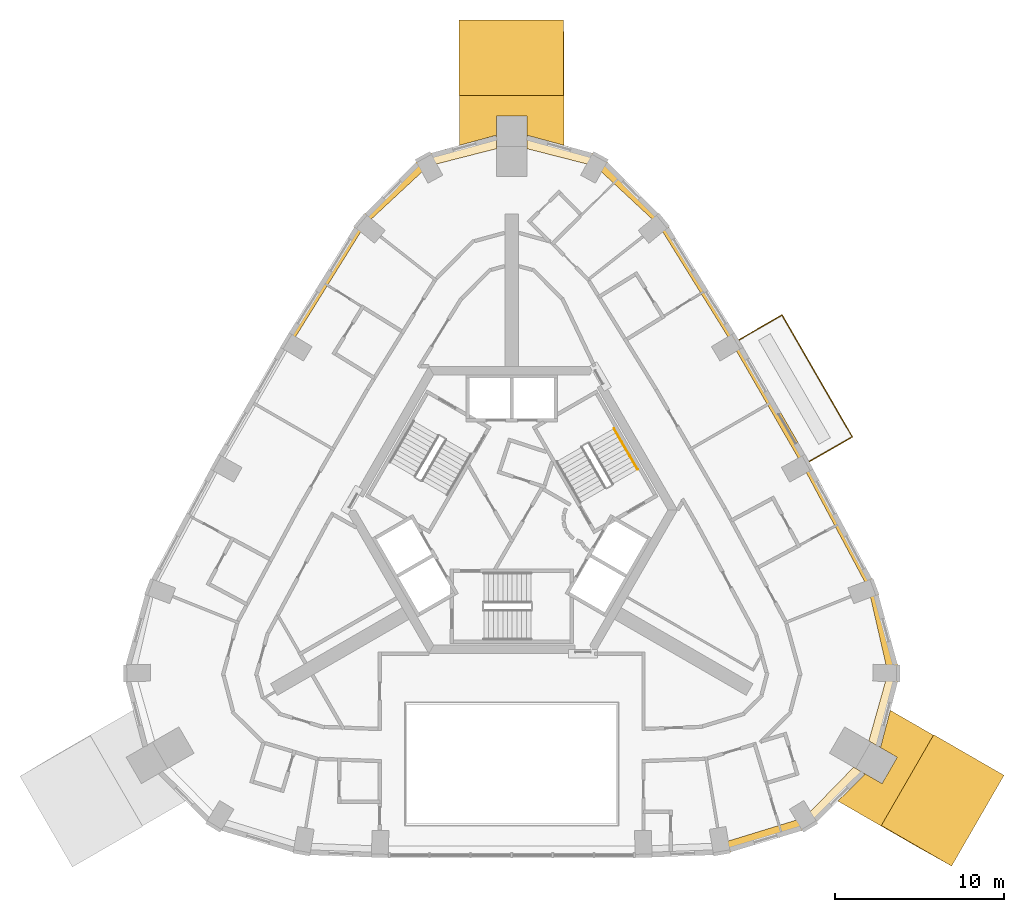
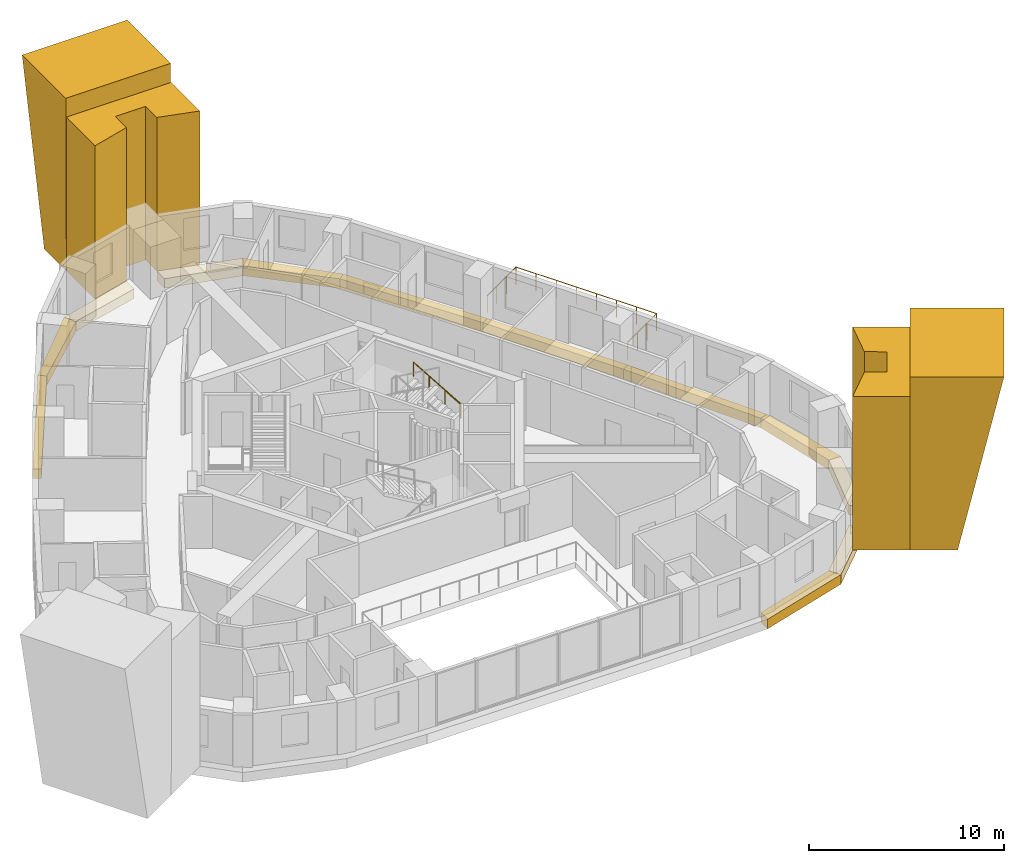
# One storey, part 11 of 11: 16 coverings, 2 railings.
"""IFC4 building model written with IfcOpenShell, lengths in metres."""

from ifc_helpers import new_model, si_unit, direction, frame, origin, origin_2d, place, context, subcontext, project, spatial, polyline, circle, outline, extrude, material, type_object, element, save


model = new_model("IFC4")

# Units and contexts
model_context = context("Model", 3, precision=1e-05, world=origin(), true_north=direction((0.0, 1.0)))
body_context = subcontext(model_context, "Body", "Model", "MODEL_VIEW")
ifc_project = project(units=[si_unit("LENGTHUNIT", "METRE"), si_unit("AREAUNIT", "SQUARE_METRE"), si_unit("VOLUMEUNIT", "CUBIC_METRE"), si_unit("PLANEANGLEUNIT", "RADIAN"), si_unit("MASSUNIT", "GRAM", prefix="KILO")], contexts=[model_context])

# Site, building, storey
site_placement = place(None, origin())
site = spatial("IfcSite", under=ifc_project, at=site_placement, CompositionType="ELEMENT")
building_placement = place(site_placement, origin())
building = spatial("IfcBuilding", under=site, at=building_placement, Name="Entoto Arch Interchange Tower", CompositionType="ELEMENT")
storey_placement = place(building_placement, frame((0.0, 0.0, 297.199951171875)))
storey = spatial("IfcBuildingStorey", under=building, at=storey_placement, Name="L69", CompositionType="ELEMENT", Elevation=297.199951171875)

# Railing
ifc_material_1 = material(Name="Stainless steel 1.4301", Category="steel")
railing_type_1 = type_object("IfcRailingType", Name="GUARD 1100 STEEL AND GLASS", PredefinedType="GUARDRAIL", material=ifc_material_1)
railing_1_placement = place(storey_placement, frame((17.595947265625, 5.35791015625, 0.0)))
element("IfcRailing", 1, at=railing_1_placement, inside=storey, type_object=railing_type_1, Name="Balcony guard NE-02 L69", PredefinedType="GUARDRAIL", context=body_context, shape_type="SweptSolid", body=[
    extrude(circle(Radius=0.02392578125, at=origin_2d()), frame((0.0, 0.0, 1.076171875), z_axis=(0.866024349092, 0.500001826776, 0.0), x_axis=(-0.500001826776, 0.866024349092, 0.0)), (0.0, 0.0, 1.0), 2.9501953125),
    extrude(circle(Radius=0.02392578125, at=origin_2d()), frame((2.554931640625, 1.47509765625, 1.076171875), z_axis=(-0.499994372282, 0.866028652924, 0.0), x_axis=(-0.866028652924, -0.499994372282, 0.0)), (0.0, 0.0, 1.0), 8.31591796875),
    extrude(circle(Radius=0.02392578125, at=origin_2d()), frame((-1.60302734375, 8.677001953125, 1.076171875), z_axis=(-0.866060182126, -0.499939757307, 0.0), x_axis=(0.499939757307, -0.866060182126, 0.0)), (0.0, 0.0, 1.0), 2.949951171875),
    extrude(circle(Radius=0.02099609375, at=origin_2d()), origin(), (0.0, 0.0, 1.0), 1.052001953125),
    extrude(circle(Radius=0.02099609375, at=origin_2d()), frame((0.8515625, 0.49169921875, 0.0)), (0.0, 0.0, 1.0), 1.052001953125),
    extrude(circle(Radius=0.02099609375, at=origin_2d()), frame((1.703369140625, 0.9833984375, 0.0)), (0.0, 0.0, 1.0), 1.052001953125),
    extrude(circle(Radius=0.02099609375, at=origin_2d()), frame((2.554931640625, 1.47509765625, 0.0)), (0.0, 0.0, 1.0), 1.052001953125),
    extrude(circle(Radius=0.02099609375, at=origin_2d()), frame((1.9609375, 2.50390625, 0.0)), (0.0, 0.0, 1.0), 1.052001953125),
    extrude(circle(Radius=0.02099609375, at=origin_2d()), frame((1.366943359375, 3.53271484375, 0.0)), (0.0, 0.0, 1.0), 1.052001953125),
    extrude(circle(Radius=0.02099609375, at=origin_2d()), frame((0.77294921875, 4.5615234375, 0.0)), (0.0, 0.0, 1.0), 1.052001953125),
    extrude(circle(Radius=0.02099609375, at=origin_2d()), frame((0.178955078125, 5.590576171875, 0.0)), (0.0, 0.0, 1.0), 1.052001953125),
    extrude(circle(Radius=0.02099609375, at=origin_2d()), frame((-0.4150390625, 6.619384765625, 0.0)), (0.0, 0.0, 1.0), 1.052001953125),
    extrude(circle(Radius=0.02099609375, at=origin_2d()), frame((-1.009033203125, 7.648193359375, 0.0)), (0.0, 0.0, 1.0), 1.052001953125),
    extrude(circle(Radius=0.02099609375, at=origin_2d()), frame((-1.60302734375, 8.677001953125, 0.0)), (0.0, 0.0, 1.0), 1.052001953125),
    extrude(circle(Radius=0.02099609375, at=origin_2d()), frame((-2.45458984375, 8.185302734375, 0.0)), (0.0, 0.0, 1.0), 1.052001953125),
    extrude(circle(Radius=0.02099609375, at=origin_2d()), frame((-3.306396484375, 7.69384765625, 0.0)), (0.0, 0.0, 1.0), 1.052001953125),
    extrude(circle(Radius=0.02099609375, at=origin_2d()), frame((-4.157958984375, 7.2021484375, 0.0)), (0.0, 0.0, 1.0), 1.052001953125),
])

# Coverings
ifc_material_2 = material(Name="Board-marked precast concrete C50/60", Category="concrete")
covering_type_1 = type_object("IfcCoveringType", Name="PRECAST FRAME COURSE", PredefinedType="CLADDING", material=ifc_material_2)
covering_1_placement = place(storey_placement, frame((0.0, 0.0, -0.33984375)))
element("IfcCovering", 2, at=covering_1_placement, inside=storey, type_object=covering_type_1, Name="Corner pilaster SE L69-L71", PredefinedType="CLADDING", context=body_context, shape_type="SweptSolid", body=[
    extrude(outline(polyline([(24.952880859375, -10.825927734375), (21.85302734375, -16.196044921875), (19.299072265625, -14.721923828125), (20.9208984375, -13.116943359375), (21.9130859375, -13.68994140625), (22.81298828125, -12.132080078125), (21.821044921875, -11.55810546875), (22.39892578125, -9.35205078125), (24.952880859375, -10.825927734375)])), origin(), (0.0, 0.0, 1.0), 9.599853515625),
])
covering_2_placement = place(storey_placement, frame((0.0, 0.0, -0.33984375)))
element("IfcCovering", 3, at=covering_2_placement, inside=storey, type_object=covering_type_1, Name="Corner pilaster N L69-L71", PredefinedType="CLADDING", context=body_context, shape_type="SweptSolid", body=[
    extrude(outline(polyline([(-3.10009765625, 27.02294921875), (3.10009765625, 27.02294921875), (3.10009765625, 24.073974609375), (0.89990234375, 24.677001953125), (0.89990234375, 25.822998046875), (-0.89990234375, 25.822998046875), (-0.89990234375, 24.677001953125), (-3.10009765625, 24.073974609375), (-3.10009765625, 27.02294921875)])), origin(), (0.0, 0.0, 1.0), 9.599853515625),
])
covering_3_placement = place(storey_placement, frame((21.85302734375, -16.196044921875, -0.33984375), z_axis=(-0.499989051205, -0.866026542408, 0.002996084014), x_axis=(0.866030429187, -0.499991295646, -1.33204e-07)))
element("IfcCovering", 4, at=covering_3_placement, inside=storey, type_object=covering_type_1, Name="Corner rib SE L69-L71", PredefinedType="CLADDING", context=body_context, shape_type="SweptSolid", body=[
    extrude(outline(polyline([(0.0, 0.0), (2.42954270651124, 0.0), (4.802220671586409, 10.799853799830363), (-0.00029612145852484666, 10.799852836490087), (0.0, 0.0)])), origin(), (0.0, 0.0, -1.0), 6.199951171875),
])
covering_4_placement = place(storey_placement, frame((3.10009765625, 27.02294921875, -0.33984375), z_axis=(0.999995615117, 0.0, 0.002961375929), x_axis=(0.0, 1.0, 0.0)))
element("IfcCovering", 5, at=covering_4_placement, inside=storey, type_object=covering_type_1, Name="Corner rib N L69-L71", PredefinedType="CLADDING", context=body_context, shape_type="SweptSolid", body=[
    extrude(outline(polyline([(0.0, 0.0), (2.261962890625, 0.0), (4.470947265625, 10.799852043590967), (0.0, 10.799852043590967), (0.0, 0.0)])), origin(), (0.0, 0.0, -1.0), 6.199951171875),
])
covering_type_2 = type_object("IfcCoveringType", Name="PRECAST LEDGE COURSE", PredefinedType="CLADDING", material=ifc_material_2)
covering_5_placement = place(storey_placement, frame((0.0, 0.0, -0.93994140625)))
element("IfcCovering", 6, at=covering_5_placement, inside=storey, type_object=covering_type_2, Name="Precast course SE-01 L69", PredefinedType="CLADDING", context=body_context, shape_type="SweptSolid", body=[
    extrude(outline(polyline([(17.319091796875, -15.700927734375), (17.69189453125, -16.31201171875), (12.447998046875, -17.889892578125), (12.447998046875, -17.197998046875), (17.319091796875, -15.700927734375)])), origin(), (0.0, 0.0, 1.0), 0.60009765625),
])
covering_6_placement = place(storey_placement, frame((0.0, 0.0, -0.93994140625)))
element("IfcCovering", 7, at=covering_6_placement, inside=storey, type_object=covering_type_2, Name="Precast course SE-02 L69", PredefinedType="CLADDING", context=body_context, shape_type="SweptSolid", body=[
    extrude(outline(polyline([(20.22900390625, -12.718994140625), (20.919921875, -13.117919921875), (17.69189453125, -16.31201171875), (17.319091796875, -15.700927734375), (20.22900390625, -12.718994140625)])), origin(), (0.0, 0.0, 1.0), 0.60009765625),
])
covering_7_placement = place(storey_placement, frame((0.0, 0.0, -0.93994140625)))
element("IfcCovering", 8, at=covering_7_placement, inside=storey, type_object=covering_type_2, Name="Precast course SE-03 L69", PredefinedType="CLADDING", context=body_context, shape_type="SweptSolid", body=[
    extrude(outline(polyline([(22.257080078125, -7.14794921875), (22.971923828125, -7.1650390625), (21.820068359375, -11.55908203125), (21.12890625, -11.159912109375), (22.257080078125, -7.14794921875)])), origin(), (0.0, 0.0, 1.0), 0.60009765625),
])
covering_8_placement = place(storey_placement, frame((0.0, 0.0, -0.93994140625)))
element("IfcCovering", 9, at=covering_8_placement, inside=storey, type_object=covering_type_2, Name="Precast course SE-04 L69", PredefinedType="CLADDING", context=body_context, shape_type="SweptSolid", body=[
    extrude(outline(polyline([(21.117919921875, -2.180908203125), (21.556884765625, -2.01708984375), (22.971923828125, -7.1650390625), (22.257080078125, -7.14794921875), (21.117919921875, -2.180908203125)])), origin(), (0.0, 0.0, 1.0), 0.60009765625),
])
covering_9_placement = place(storey_placement, frame((0.0, 0.0, -0.93994140625)))
element("IfcCovering", 10, at=covering_9_placement, inside=storey, type_object=covering_type_2, Name="Precast course NE-01 L69", PredefinedType="CLADDING", context=body_context, shape_type="SweptSolid", body=[
    extrude(outline(polyline([(17.201904296875, 5.138916015625), (17.595947265625, 5.35791015625), (21.556884765625, -2.01708984375), (21.117919921875, -2.180908203125), (17.201904296875, 5.138916015625)])), origin(), (0.0, 0.0, 1.0), 0.60009765625),
])
covering_10_placement = place(storey_placement, frame((0.0, 0.0, -0.93994140625)))
element("IfcCovering", 11, at=covering_10_placement, inside=storey, type_object=covering_type_2, Name="Precast course NE-02 L69", PredefinedType="CLADDING", context=body_context, shape_type="SweptSolid", body=[
    extrude(outline(polyline([(13.051025390625, 12.327880859375), (13.43798828125, 12.56005859375), (17.595947265625, 5.35791015625), (17.201904296875, 5.138916015625), (13.051025390625, 12.327880859375)])), origin(), (0.0, 0.0, 1.0), 0.60009765625),
])
covering_11_placement = place(storey_placement, frame((0.0, 0.0, -0.93994140625)))
element("IfcCovering", 12, at=covering_11_placement, inside=storey, type_object=covering_type_2, Name="Precast course NE-03 L69", PredefinedType="CLADDING", context=body_context, shape_type="SweptSolid", body=[
    extrude(outline(polyline([(8.669921875, 19.37890625), (9.031982421875, 19.677001953125), (13.43798828125, 12.56005859375), (13.051025390625, 12.327880859375), (8.669921875, 19.37890625)])), origin(), (0.0, 0.0, 1.0), 0.60009765625),
])
covering_12_placement = place(storey_placement, frame((0.0, 0.0, -0.93994140625)))
element("IfcCovering", 13, at=covering_12_placement, inside=storey, type_object=covering_type_2, Name="Precast course N-01 L69", PredefinedType="CLADDING", context=body_context, shape_type="SweptSolid", body=[
    extrude(outline(polyline([(4.93798828125, 22.84912109375), (5.281005859375, 23.47705078125), (9.031982421875, 19.677001953125), (8.669921875, 19.37890625), (4.93798828125, 22.84912109375)])), origin(), (0.0, 0.0, 1.0), 0.60009765625),
])
covering_13_placement = place(storey_placement, frame((0.0, 0.0, -0.93994140625)))
element("IfcCovering", 14, at=covering_13_placement, inside=storey, type_object=covering_type_2, Name="Precast course N-02 L69", PredefinedType="CLADDING", context=body_context, shape_type="SweptSolid", body=[
    extrude(outline(polyline([(0.89990234375, 23.87890625), (0.89990234375, 24.677001953125), (5.281005859375, 23.47705078125), (4.93798828125, 22.84912109375), (0.89990234375, 23.87890625)])), origin(), (0.0, 0.0, 1.0), 0.60009765625),
])
covering_14_placement = place(storey_placement, frame((0.0, 0.0, -0.93994140625)))
element("IfcCovering", 15, at=covering_14_placement, inside=storey, type_object=covering_type_2, Name="Precast course N-03 L69", PredefinedType="CLADDING", context=body_context, shape_type="SweptSolid", body=[
    extrude(outline(polyline([(-4.93798828125, 22.84912109375), (-5.281005859375, 23.47705078125), (-0.89990234375, 24.677001953125), (-0.89990234375, 23.87890625), (-4.93798828125, 22.84912109375)])), origin(), (0.0, 0.0, 1.0), 0.60009765625),
])
covering_15_placement = place(storey_placement, frame((0.0, 0.0, -0.93994140625)))
element("IfcCovering", 16, at=covering_15_placement, inside=storey, type_object=covering_type_2, Name="Precast course N-04 L69", PredefinedType="CLADDING", context=body_context, shape_type="SweptSolid", body=[
    extrude(outline(polyline([(-8.669921875, 19.37890625), (-9.031982421875, 19.677001953125), (-5.281005859375, 23.47705078125), (-4.93798828125, 22.84912109375), (-8.669921875, 19.37890625)])), origin(), (0.0, 0.0, 1.0), 0.60009765625),
])
covering_16_placement = place(storey_placement, frame((0.0, 0.0, -0.93994140625)))
element("IfcCovering", 17, at=covering_16_placement, inside=storey, type_object=covering_type_2, Name="Precast course NW-01 L69", PredefinedType="CLADDING", context=body_context, shape_type="SweptSolid", body=[
    extrude(outline(polyline([(-13.051025390625, 12.327880859375), (-13.43798828125, 12.56005859375), (-9.031982421875, 19.677001953125), (-8.669921875, 19.37890625), (-13.051025390625, 12.327880859375)])), origin(), (0.0, 0.0, 1.0), 0.60009765625),
])

# Railing
railing_type_2 = type_object("IfcRailingType", Name="STAIR HANDRAIL 900 STEEL", PredefinedType="HANDRAIL", material=ifc_material_1)
railing_2_placement = place(storey_placement, frame((7.4501953125, 4.89599609375, 0.16357421875)))
element("IfcRailing", 18, at=railing_2_placement, inside=storey, type_object=railing_type_2, Name="L69 ST-NE stair handrail 1", PredefinedType="HANDRAIL", context=body_context, shape_type="SweptSolid", body=[
    extrude(circle(Radius=0.02392578125, at=origin_2d()), frame((0.0, 0.0, 0.8759765625), z_axis=(-0.431697583215, 0.747698708645, 0.504563016616), x_axis=(-0.866018616679, -0.500011755427, 0.0)), (0.0, 0.0, 1.0), 3.243408203125),
    extrude(circle(Radius=0.02099609375, at=origin_2d()), origin(), (0.0, 0.0, 1.0), 0.851806640625),
    extrude(circle(Radius=0.02099609375, at=origin_2d()), frame((-0.466796875, 0.808349609375, 0.54541015625)), (0.0, 0.0, 1.0), 0.851806640625),
    extrude(circle(Radius=0.02099609375, at=origin_2d()), frame((-0.933349609375, 1.61669921875, 1.091064453125)), (0.0, 0.0, 1.0), 0.851806640625),
    extrude(circle(Radius=0.02099609375, at=origin_2d()), frame((-1.400146484375, 2.425048828125, 1.636474609375)), (0.0, 0.0, 1.0), 0.851806640625),
])

save(model, "model.ifc")
